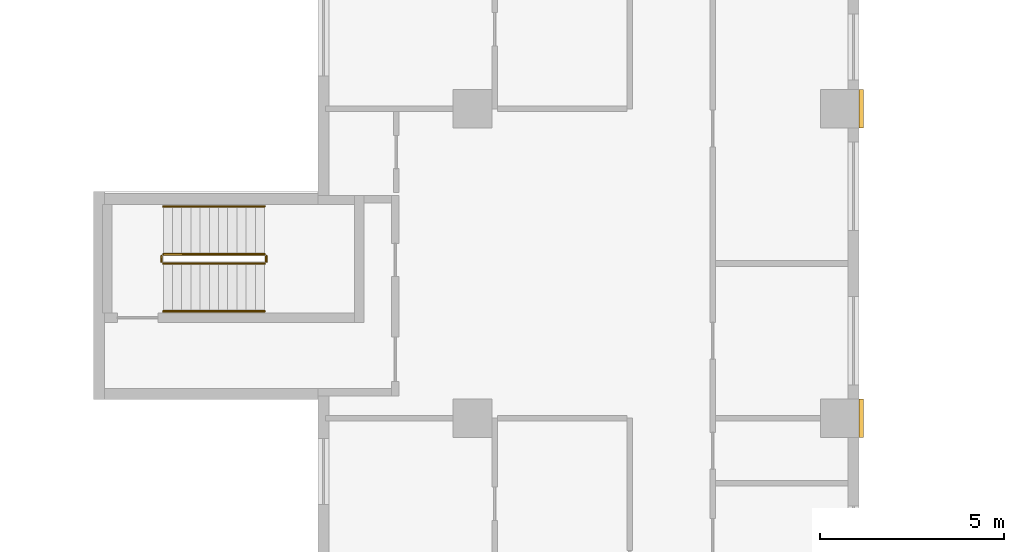
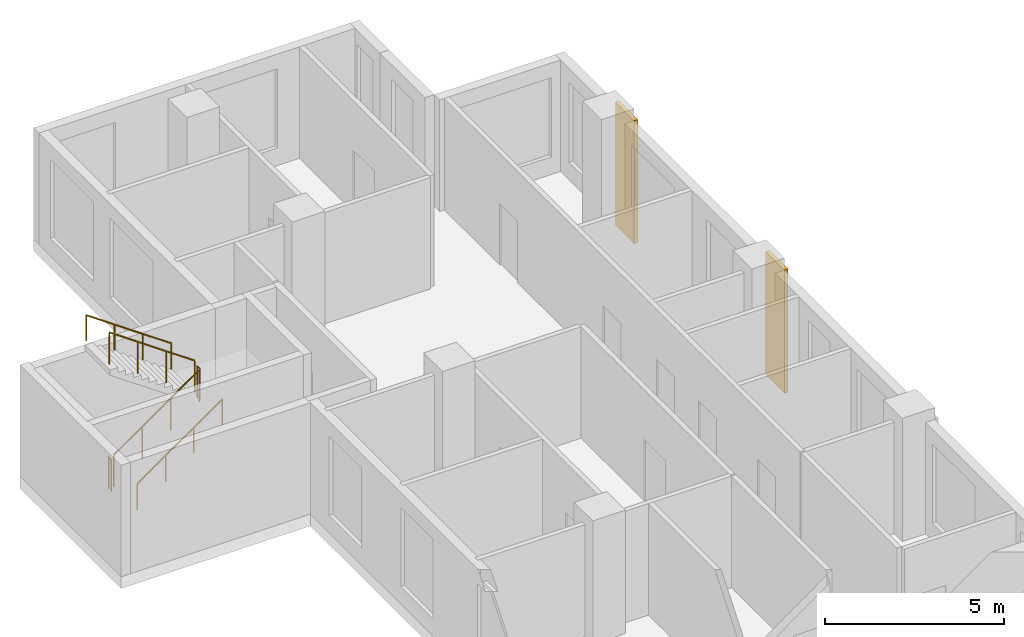
# One storey, part 12 of 13: 6 railings, 2 coverings.
"""IFC4 building model written with IfcOpenShell, lengths in metres."""

import ifcopenshell
import ifcopenshell.guid

model = None  # the IFC model being written
_history = None  # IfcOwnerHistory: only IFC2X3 demands one
_inside = {}  # id of a spatial element -> (the spatial element, [elements in it])
_under = {}  # id of a project, library or spatial element -> (it, [spatial elements below it])
_declared = {}  # id of a project -> (the project, [libraries it declares])
_typed = {}  # id of a type object -> (the type object, [elements of that type])
_made_of = {}  # id of a material, layer set ... -> (it, [elements and type objects made of it])


def new_model(schema):
    """Start an empty IFC model of exactly this schema.

    Asked for "IFC4X3", IfcOpenShell would pick the latest addendum, in which some entities
    have other attributes; the version numbers below select the first issue.
    IFC2X3 requires an IfcOwnerHistory on every rooted entity: one is made here for all.
    """
    global model, _history
    if schema == "IFC4X3":
        model = ifcopenshell.file(schema_version=(4, 3, 0, 0))
    else:
        model = ifcopenshell.file(schema=schema)
    _inside.clear()
    _under.clear()
    _declared.clear()
    _typed.clear()
    _made_of.clear()
    _history = None
    if model.schema == "IFC2X3":
        org = make("IfcOrganization", Name="unknown")
        user = make(
            "IfcPersonAndOrganization",
            ThePerson=make("IfcPerson", FamilyName="unknown"),
            TheOrganization=org,
        )
        app = make(
            "IfcApplication",
            ApplicationDeveloper=org,
            Version="unknown",
            ApplicationFullName="unknown",
            ApplicationIdentifier="unknown",
        )
        _history = make(
            "IfcOwnerHistory",
            OwningUser=user,
            OwningApplication=app,
            ChangeAction="ADDED",
            CreationDate=0,
        )
    return model


def make(cls, **values):
    """One entity of the class cls with the attributes given. An attribute that is None is left unset."""
    return model.create_entity(
        cls, **{name: value for name, value in values.items() if value is not None}
    )


def rooted(cls, **values):
    """An entity with a GlobalId (a new one), such as an element, a storey or a relation."""
    return make(cls, GlobalId=ifcopenshell.guid.new(), OwnerHistory=_history, **values)


def si_unit(unit_type, name, prefix=None):
    """IfcSIUnit, for example si_unit("LENGTHUNIT", "METRE", prefix="MILLI")."""
    return make("IfcSIUnit", UnitType=unit_type, Prefix=prefix, Name=name)


def assignment(units):
    """IfcUnitAssignment: the units of a project."""
    return None if units is None else make("IfcUnitAssignment", Units=units)


def point(xyz):
    """IfcCartesianPoint."""
    return None if xyz is None else make("IfcCartesianPoint", Coordinates=xyz)


def direction(xyz):
    """IfcDirection."""
    return None if xyz is None else make("IfcDirection", DirectionRatios=xyz)


def frame(location, z_axis=None, x_axis=None):
    """IfcAxis2Placement3D, a coordinate frame: its origin and axes. An axis left out is left unset."""
    return make(
        "IfcAxis2Placement3D",
        Location=point(location),
        Axis=direction(z_axis),
        RefDirection=direction(x_axis),
    )


def frame_2d(location, x_axis=None):
    """IfcAxis2Placement2D, a coordinate frame in the plane: its origin and x axis."""
    return make(
        "IfcAxis2Placement2D", Location=point(location), RefDirection=direction(x_axis)
    )


def origin():
    """The frame at (0, 0, 0) with its axes left unset."""
    return frame((0.0, 0.0, 0.0))


def origin_2d():
    """The frame at (0, 0) in the plane with its x axis left unset."""
    return frame_2d((0.0, 0.0))


def place(relative_to, where):
    """IfcLocalPlacement: puts the frame where relative to a parent placement (None: the world)."""
    return make(
        "IfcLocalPlacement", PlacementRelTo=relative_to, RelativePlacement=where
    )


def context(
    kind, dimensions, precision=None, world=None, true_north=None, identifier=None
):
    """IfcGeometricRepresentationContext, for example the 3D "Model" context."""
    return make(
        "IfcGeometricRepresentationContext",
        ContextIdentifier=identifier,
        ContextType=kind,
        CoordinateSpaceDimension=dimensions,
        Precision=precision,
        WorldCoordinateSystem=world,
        TrueNorth=true_north,
    )


def subcontext(parent, identifier, kind, view, scale=None):
    """IfcGeometricRepresentationSubContext, for example "Body" below "Model"."""
    return make(
        "IfcGeometricRepresentationSubContext",
        ContextIdentifier=identifier,
        ContextType=kind,
        ParentContext=parent,
        TargetScale=scale,
        TargetView=view,
    )


def project(units=None, contexts=None):
    """IfcProject with its units and contexts."""
    return rooted(
        "IfcProject",
        Name="project",
        RepresentationContexts=contexts,
        UnitsInContext=assignment(units),
    )


def spatial(cls, under=None, at=None, **own):
    """A site, building, storey or space (cls), placed at a placement, below another one or the project."""
    s = rooted(cls, ObjectPlacement=at, **own)
    if under is not None:
        _under.setdefault(under.id(), (under, []))[1].append(s)
    return s


def profile(cls, at=None, kind="AREA", **sizes):
    """A parametric profile (cls). Its sizes go by their IFC names, for example OverallWidth=200.0."""
    return make(cls, ProfileType=kind, Position=at, **sizes)


def rectangle(**sizes):
    """IfcRectangleProfileDef."""
    return profile("IfcRectangleProfileDef", **sizes)


def circle(**sizes):
    """IfcCircleProfileDef."""
    return profile("IfcCircleProfileDef", **sizes)


def extrude(swept, where, along, depth):
    """IfcExtrudedAreaSolid: the profile swept, set in the frame where, extruded along a direction by depth."""
    return make(
        "IfcExtrudedAreaSolid",
        SweptArea=swept,
        Position=where,
        ExtrudedDirection=direction(along),
        Depth=depth,
    )


def shape(context_of_items, identifier, shape_type, items):
    """IfcShapeRepresentation: the items that make up one representation, for example the "Body"."""
    return make(
        "IfcShapeRepresentation",
        ContextOfItems=context_of_items,
        RepresentationIdentifier=identifier,
        RepresentationType=shape_type,
        Items=items,
    )


def source(mapping_origin, context_of_items, identifier, shape_type, items):
    """IfcRepresentationMap: a shape defined once, which mapped items show again and again."""
    return make(
        "IfcRepresentationMap",
        MappingOrigin=mapping_origin,
        MappedRepresentation=shape(context_of_items, identifier, shape_type, items),
    )


def transform(
    local_origin,
    x_axis=None,
    y_axis=None,
    z_axis=None,
    scale=None,
    scale2=None,
    scale3=None,
    uniform=True,
):
    """IfcCartesianTransformationOperator3D, or its non-uniform kind. x_axis, y_axis, z_axis: its Axis1, 2, 3."""
    if uniform:
        return make(
            "IfcCartesianTransformationOperator3D",
            Axis1=direction(x_axis),
            Axis2=direction(y_axis),
            LocalOrigin=point(local_origin),
            Scale=scale,
            Axis3=direction(z_axis),
        )
    return make(
        "IfcCartesianTransformationOperator3DnonUniform",
        Axis1=direction(x_axis),
        Axis2=direction(y_axis),
        LocalOrigin=point(local_origin),
        Scale=scale,
        Axis3=direction(z_axis),
        Scale2=scale2,
        Scale3=scale3,
    )


def mapped(mapping_source, mapping_target):
    """IfcMappedItem: shows the shape of a source again, moved by a transform."""
    return make(
        "IfcMappedItem", MappingSource=mapping_source, MappingTarget=mapping_target
    )


def material(Name=None, Category=None):
    """IfcMaterial."""
    return make("IfcMaterial", Name=Name, Category=Category)


def made_of(thing, what):
    """Note that an element or type object is made of a material, layer set ...; save() writes the relation."""
    if what is not None:
        _made_of.setdefault(what.id(), (what, []))[1].append(thing)
    return thing


def type_object(cls, material=None, **own):
    """A type object (cls), such as IfcWallType, which elements share."""
    return made_of(rooted(cls, **own), material)


def element(
    cls,
    number,
    at=None,
    inside=None,
    cuts=None,
    type_object=None,
    material=None,
    context=None,
    identifier="Body",
    shape_type=None,
    held_by="IfcProductDefinitionShape",
    body=None,
    shapes=None,
    **own,
):
    """One element of the class cls, such as IfcWall. Its Tag is "e" and its number.

    at: its placement. inside: the storey or other place that contains it. cuts: it is an
    opening in that element (IfcRelVoidsElement). A single representation is given by context,
    identifier, shape_type and body (its items); several are given by shapes. held_by: the class
    of the entity that holds the representations. save() writes the other relations.
    """
    e = rooted(cls, Tag="e%d" % number, ObjectPlacement=at, **own)
    if body is not None:
        shapes = [shape(context, identifier, shape_type, body)]
    if shapes is not None:
        e.Representation = make(held_by, Representations=shapes)
    if inside is not None:
        _inside.setdefault(inside.id(), (inside, []))[1].append(e)
    if cuts is not None:
        rooted(
            "IfcRelVoidsElement", RelatingBuildingElement=cuts, RelatedOpeningElement=e
        )
    if type_object is not None:
        _typed.setdefault(type_object.id(), (type_object, []))[1].append(e)
    return made_of(e, material)


def aggregate(whole, parts):
    """IfcRelAggregates: a whole, such as a stair, and the parts it consists of."""
    return rooted("IfcRelAggregates", RelatingObject=whole, RelatedObjects=parts)


def save(model, path):
    """Write the relations noted so far, then the file.

    IfcRelAggregates (storeys below a building ...), IfcRelContainedInSpatialStructure (elements
    in a storey), IfcRelDefinesByType, IfcRelAssociatesMaterial and IfcRelDeclares: one each for
    every whole, place, type object, material and project.
    """
    for whole, parts in _under.values():
        aggregate(whole, parts)
    for where, things in _inside.values():
        rooted(
            "IfcRelContainedInSpatialStructure",
            RelatedElements=things,
            RelatingStructure=where,
        )
    for kind, things in _typed.values():
        rooted("IfcRelDefinesByType", RelatedObjects=things, RelatingType=kind)
    for what, things in _made_of.values():
        rooted("IfcRelAssociatesMaterial", RelatedObjects=things, RelatingMaterial=what)
    for by, libraries in _declared.values():
        rooted("IfcRelDeclares", RelatingContext=by, RelatedDefinitions=libraries)
    model.write(path)


model = new_model("IFC4")

# Units and contexts
model_context = context("Model", 3, precision=1e-05, world=origin(), true_north=direction((0.0, 1.0)))
body_context = subcontext(model_context, "Body", "Model", "MODEL_VIEW")
ifc_project = project(units=[si_unit("LENGTHUNIT", "METRE"), si_unit("AREAUNIT", "SQUARE_METRE"), si_unit("VOLUMEUNIT", "CUBIC_METRE"), si_unit("PLANEANGLEUNIT", "RADIAN"), si_unit("MASSUNIT", "GRAM", prefix="KILO")], contexts=[model_context])

# Site, building, storey
site_placement = place(None, origin())
site = spatial("IfcSite", under=ifc_project, at=site_placement, CompositionType="ELEMENT")
building_placement = place(site_placement, origin())
building = spatial("IfcBuilding", under=site, at=building_placement, Name="Aurelian Terraces", CompositionType="ELEMENT")
storey_placement = place(building_placement, frame((0.0, 0.0, 158.1)))
storey = spatial("IfcBuildingStorey", under=building, at=storey_placement, Name="L35", CompositionType="ELEMENT", Elevation=158.1)

# Coverings
ifc_material_1 = material(Name="Terracotta rainscreen cladding relief", Category="masonry")
covering_type = type_object("IfcCoveringType", Name="BAGUETTE-TC", PredefinedType="CLADDING", material=ifc_material_1)
shared_shape_1 = source(origin(), body_context, "Body", "SweptSolid", [
    extrude(rectangle(XDim=0.12, YDim=1.05, at=origin_2d()), origin(), (0.0, 0.0, 1.0), 4.2),
])
for number, where, z_axis, x_axis, name in (
    (1, (21.06, 37.8, -0.4), (0.0, 0.0, 1.0), (1.0, 0.0, 0.0), "BAGUETTE pier L35 11"),
    (2, (21.06, 46.2, -0.4), (0.0, 0.0, 1.0), (1.0, 0.0, 0.0), "BAGUETTE pier L35 12"),
):
    element("IfcCovering", number, at=place(storey_placement, frame(where, z_axis=z_axis, x_axis=x_axis)), inside=storey, type_object=covering_type, Name=name, PredefinedType="CLADDING", context=body_context, shape_type="MappedRepresentation", body=[
        mapped(shared_shape_1, transform((0.0, 0.0, 0.0), scale=1.0)),
    ])

# Railings
ifc_material_2 = material(Name="Stainless steel", Category="steel")
railing_type_1 = type_object("IfcRailingType", Name="Stair guard 1100", PredefinedType="GUARDRAIL", material=ifc_material_2)
shared_shape_2 = source(origin(), body_context, "Body", "SweptSolid", [
    extrude(circle(Radius=0.024, at=origin_2d()), frame((0.0, 0.0, 1.076), z_axis=(0.0, 1.0, 0.0), x_axis=(-1.0, 0.0, 0.0)), (0.0, 0.0, 1.0), 0.15),
    extrude(circle(Radius=0.021, at=origin_2d()), origin(), (0.0, 0.0, 1.0), 1.052),
    extrude(circle(Radius=0.021, at=origin_2d()), frame((0.0, 0.15, 0.0)), (0.0, 0.0, 1.0), 1.052),
])
for number, where, name in (
    (3, (4.9, 42.05, 2.1), "L35 S3 stair guard 2"),
    (4, (2.05, 42.05, 0.0), "L35 S3 stair guard 4"),
):
    element("IfcRailing", number, at=place(storey_placement, frame(where)), inside=storey, type_object=railing_type_1, Name=name, PredefinedType="GUARDRAIL", context=body_context, shape_type="MappedRepresentation", body=[
        mapped(shared_shape_2, transform((0.0, 0.0, 0.0), scale=1.0)),
    ])
shared_shape_3 = source(origin(), body_context, "Body", "SweptSolid", [
    extrude(circle(Radius=0.024, at=origin_2d()), frame((0.0, 0.0, 1.076), z_axis=(0.819231920519, 0.0, 0.573462344363), x_axis=(0.0, 1.0, 0.0)), (0.0, 0.0, 1.0), 3.3568),
    extrude(circle(Radius=0.021, at=origin_2d()), origin(), (0.0, 0.0, 1.0), 1.052),
    extrude(circle(Radius=0.021, at=origin_2d()), frame((0.9167, 0.0, 0.6417)), (0.0, 0.0, 1.0), 1.052),
    extrude(circle(Radius=0.021, at=origin_2d()), frame((1.8333, 0.0, 1.2833)), (0.0, 0.0, 1.0), 1.052),
    extrude(circle(Radius=0.021, at=origin_2d()), frame((2.75, 0.0, 1.925)), (0.0, 0.0, 1.0), 1.052),
])
railing_1_placement = place(storey_placement, frame((2.1, 42.0, 0.175)))
element("IfcRailing", 5, at=railing_1_placement, inside=storey, type_object=railing_type_1, Name="L35 S3 stair guard 1", PredefinedType="GUARDRAIL", context=body_context, shape_type="MappedRepresentation", body=[
    mapped(shared_shape_3, transform((0.0, 0.0, 0.0), scale=1.0)),
])
shared_shape_4 = source(origin(), body_context, "Body", "SweptSolid", [
    extrude(circle(Radius=0.024, at=origin_2d()), frame((0.0, 0.0, 1.076), z_axis=(-0.819231920519, 0.0, 0.573462344363), x_axis=(0.0, -1.0, 0.0)), (0.0, 0.0, 1.0), 3.3568),
    extrude(circle(Radius=0.021, at=origin_2d()), origin(), (0.0, 0.0, 1.0), 1.052),
    extrude(circle(Radius=0.021, at=origin_2d()), frame((-0.9167, 0.0, 0.6417)), (0.0, 0.0, 1.0), 1.052),
    extrude(circle(Radius=0.021, at=origin_2d()), frame((-1.8333, 0.0, 1.2833)), (0.0, 0.0, 1.0), 1.052),
    extrude(circle(Radius=0.021, at=origin_2d()), frame((-2.75, 0.0, 1.925)), (0.0, 0.0, 1.0), 1.052),
])
railing_2_placement = place(storey_placement, frame((4.85, 42.25, 2.275)))
element("IfcRailing", 6, at=railing_2_placement, inside=storey, type_object=railing_type_1, Name="L35 S3 stair guard 3", PredefinedType="GUARDRAIL", context=body_context, shape_type="MappedRepresentation", body=[
    mapped(shared_shape_4, transform((0.0, 0.0, 0.0), scale=1.0)),
])
railing_type_2 = type_object("IfcRailingType", Name="Stair handrail", PredefinedType="HANDRAIL", material=ifc_material_2)
shared_shape_5 = source(origin(), body_context, "Body", "SweptSolid", [
    extrude(circle(Radius=0.024, at=origin_2d()), frame((0.0, 0.0, 0.876), z_axis=(0.819231920519, 0.0, 0.573462344363), x_axis=(0.0, 1.0, 0.0)), (0.0, 0.0, 1.0), 3.3568),
    extrude(circle(Radius=0.021, at=origin_2d()), origin(), (0.0, 0.0, 1.0), 0.852),
    extrude(circle(Radius=0.021, at=origin_2d()), frame((0.9167, 0.0, 0.6417)), (0.0, 0.0, 1.0), 0.852),
    extrude(circle(Radius=0.021, at=origin_2d()), frame((1.8333, 0.0, 1.2833)), (0.0, 0.0, 1.0), 0.852),
    extrude(circle(Radius=0.021, at=origin_2d()), frame((2.75, 0.0, 1.925)), (0.0, 0.0, 1.0), 0.852),
])
railing_3_placement = place(storey_placement, frame((2.1, 40.7, 0.175)))
element("IfcRailing", 7, at=railing_3_placement, inside=storey, type_object=railing_type_2, Name="L35 S3 stair handrail 1", PredefinedType="HANDRAIL", context=body_context, shape_type="MappedRepresentation", body=[
    mapped(shared_shape_5, transform((0.0, 0.0, 0.0), scale=1.0)),
])
shared_shape_6 = source(origin(), body_context, "Body", "SweptSolid", [
    extrude(circle(Radius=0.024, at=origin_2d()), frame((0.0, 0.0, 0.876), z_axis=(-0.819231920519, 0.0, 0.573462344363), x_axis=(0.0, -1.0, 0.0)), (0.0, 0.0, 1.0), 3.3568),
    extrude(circle(Radius=0.021, at=origin_2d()), origin(), (0.0, 0.0, 1.0), 0.852),
    extrude(circle(Radius=0.021, at=origin_2d()), frame((-0.9167, 0.0, 0.6417)), (0.0, 0.0, 1.0), 0.852),
    extrude(circle(Radius=0.021, at=origin_2d()), frame((-1.8333, 0.0, 1.2833)), (0.0, 0.0, 1.0), 0.852),
    extrude(circle(Radius=0.021, at=origin_2d()), frame((-2.75, 0.0, 1.925)), (0.0, 0.0, 1.0), 0.852),
])
railing_4_placement = place(storey_placement, frame((4.85, 43.55, 2.275)))
element("IfcRailing", 8, at=railing_4_placement, inside=storey, type_object=railing_type_2, Name="L35 S3 stair handrail 2", PredefinedType="HANDRAIL", context=body_context, shape_type="MappedRepresentation", body=[
    mapped(shared_shape_6, transform((0.0, 0.0, 0.0), scale=1.0)),
])

save(model, "model.ifc")
